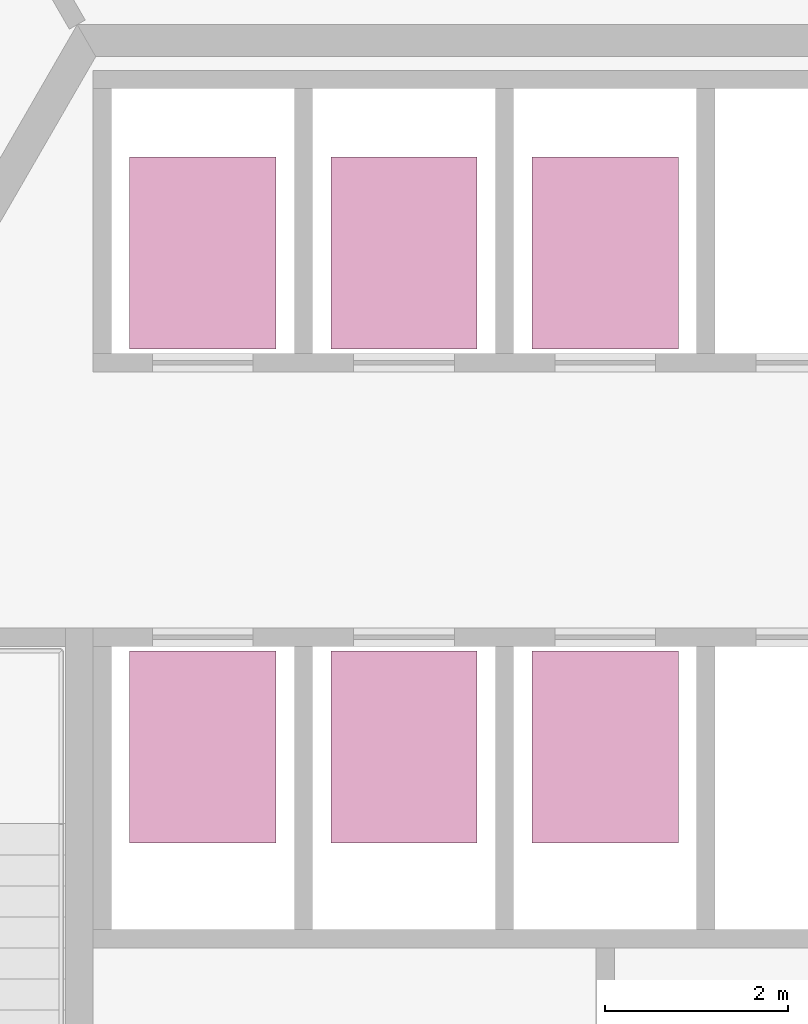
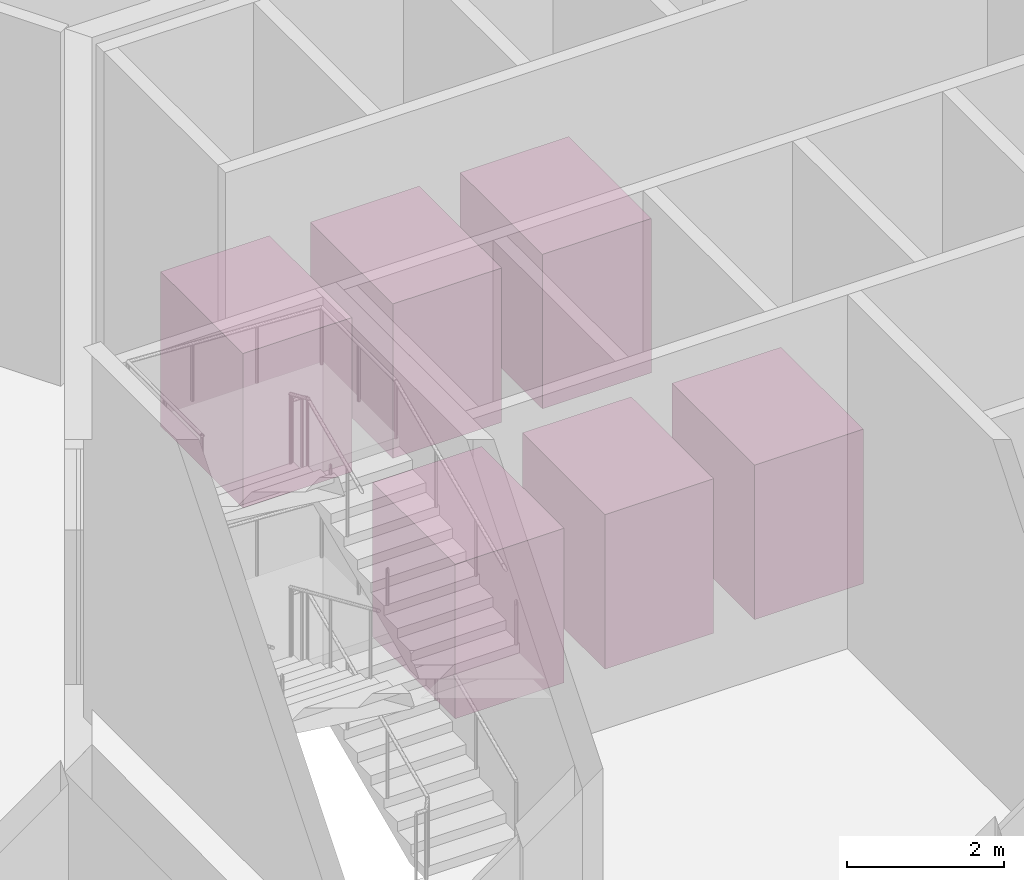
# One storey, part 27 of 27: 6 transport elements.
"""IFC4 building model written with IfcOpenShell, lengths in metres."""

import ifcopenshell
import ifcopenshell.guid

model = None  # the IFC model being written
_history = None  # IfcOwnerHistory: only IFC2X3 demands one
_inside = {}  # id of a spatial element -> (the spatial element, [elements in it])
_under = {}  # id of a project, library or spatial element -> (it, [spatial elements below it])
_declared = {}  # id of a project -> (the project, [libraries it declares])
_typed = {}  # id of a type object -> (the type object, [elements of that type])
_made_of = {}  # id of a material, layer set ... -> (it, [elements and type objects made of it])


def new_model(schema):
    """Start an empty IFC model of exactly this schema.

    Asked for "IFC4X3", IfcOpenShell would pick the latest addendum, in which some entities
    have other attributes; the version numbers below select the first issue.
    IFC2X3 requires an IfcOwnerHistory on every rooted entity: one is made here for all.
    """
    global model, _history
    if schema == "IFC4X3":
        model = ifcopenshell.file(schema_version=(4, 3, 0, 0))
    else:
        model = ifcopenshell.file(schema=schema)
    _inside.clear()
    _under.clear()
    _declared.clear()
    _typed.clear()
    _made_of.clear()
    _history = None
    if model.schema == "IFC2X3":
        org = make("IfcOrganization", Name="unknown")
        user = make(
            "IfcPersonAndOrganization",
            ThePerson=make("IfcPerson", FamilyName="unknown"),
            TheOrganization=org,
        )
        app = make(
            "IfcApplication",
            ApplicationDeveloper=org,
            Version="unknown",
            ApplicationFullName="unknown",
            ApplicationIdentifier="unknown",
        )
        _history = make(
            "IfcOwnerHistory",
            OwningUser=user,
            OwningApplication=app,
            ChangeAction="ADDED",
            CreationDate=0,
        )
    return model


def make(cls, **values):
    """One entity of the class cls with the attributes given. An attribute that is None is left unset."""
    return model.create_entity(
        cls, **{name: value for name, value in values.items() if value is not None}
    )


def rooted(cls, **values):
    """An entity with a GlobalId (a new one), such as an element, a storey or a relation."""
    return make(cls, GlobalId=ifcopenshell.guid.new(), OwnerHistory=_history, **values)


def si_unit(unit_type, name, prefix=None):
    """IfcSIUnit, for example si_unit("LENGTHUNIT", "METRE", prefix="MILLI")."""
    return make("IfcSIUnit", UnitType=unit_type, Prefix=prefix, Name=name)


def assignment(units):
    """IfcUnitAssignment: the units of a project."""
    return None if units is None else make("IfcUnitAssignment", Units=units)


def point(xyz):
    """IfcCartesianPoint."""
    return None if xyz is None else make("IfcCartesianPoint", Coordinates=xyz)


def direction(xyz):
    """IfcDirection."""
    return None if xyz is None else make("IfcDirection", DirectionRatios=xyz)


def frame(location, z_axis=None, x_axis=None):
    """IfcAxis2Placement3D, a coordinate frame: its origin and axes. An axis left out is left unset."""
    return make(
        "IfcAxis2Placement3D",
        Location=point(location),
        Axis=direction(z_axis),
        RefDirection=direction(x_axis),
    )


def frame_2d(location, x_axis=None):
    """IfcAxis2Placement2D, a coordinate frame in the plane: its origin and x axis."""
    return make(
        "IfcAxis2Placement2D", Location=point(location), RefDirection=direction(x_axis)
    )


def origin():
    """The frame at (0, 0, 0) with its axes left unset."""
    return frame((0.0, 0.0, 0.0))


def origin_2d():
    """The frame at (0, 0) in the plane with its x axis left unset."""
    return frame_2d((0.0, 0.0))


def place(relative_to, where):
    """IfcLocalPlacement: puts the frame where relative to a parent placement (None: the world)."""
    return make(
        "IfcLocalPlacement", PlacementRelTo=relative_to, RelativePlacement=where
    )


def context(
    kind, dimensions, precision=None, world=None, true_north=None, identifier=None
):
    """IfcGeometricRepresentationContext, for example the 3D "Model" context."""
    return make(
        "IfcGeometricRepresentationContext",
        ContextIdentifier=identifier,
        ContextType=kind,
        CoordinateSpaceDimension=dimensions,
        Precision=precision,
        WorldCoordinateSystem=world,
        TrueNorth=true_north,
    )


def subcontext(parent, identifier, kind, view, scale=None):
    """IfcGeometricRepresentationSubContext, for example "Body" below "Model"."""
    return make(
        "IfcGeometricRepresentationSubContext",
        ContextIdentifier=identifier,
        ContextType=kind,
        ParentContext=parent,
        TargetScale=scale,
        TargetView=view,
    )


def project(units=None, contexts=None):
    """IfcProject with its units and contexts."""
    return rooted(
        "IfcProject",
        Name="project",
        RepresentationContexts=contexts,
        UnitsInContext=assignment(units),
    )


def spatial(cls, under=None, at=None, **own):
    """A site, building, storey or space (cls), placed at a placement, below another one or the project."""
    s = rooted(cls, ObjectPlacement=at, **own)
    if under is not None:
        _under.setdefault(under.id(), (under, []))[1].append(s)
    return s


def profile(cls, at=None, kind="AREA", **sizes):
    """A parametric profile (cls). Its sizes go by their IFC names, for example OverallWidth=200.0."""
    return make(cls, ProfileType=kind, Position=at, **sizes)


def rectangle(**sizes):
    """IfcRectangleProfileDef."""
    return profile("IfcRectangleProfileDef", **sizes)


def extrude(swept, where, along, depth):
    """IfcExtrudedAreaSolid: the profile swept, set in the frame where, extruded along a direction by depth."""
    return make(
        "IfcExtrudedAreaSolid",
        SweptArea=swept,
        Position=where,
        ExtrudedDirection=direction(along),
        Depth=depth,
    )


def shape(context_of_items, identifier, shape_type, items):
    """IfcShapeRepresentation: the items that make up one representation, for example the "Body"."""
    return make(
        "IfcShapeRepresentation",
        ContextOfItems=context_of_items,
        RepresentationIdentifier=identifier,
        RepresentationType=shape_type,
        Items=items,
    )


def material(Name=None, Category=None):
    """IfcMaterial."""
    return make("IfcMaterial", Name=Name, Category=Category)


def made_of(thing, what):
    """Note that an element or type object is made of a material, layer set ...; save() writes the relation."""
    if what is not None:
        _made_of.setdefault(what.id(), (what, []))[1].append(thing)
    return thing


def type_object(cls, material=None, **own):
    """A type object (cls), such as IfcWallType, which elements share."""
    return made_of(rooted(cls, **own), material)


def element(
    cls,
    number,
    at=None,
    inside=None,
    cuts=None,
    type_object=None,
    material=None,
    context=None,
    identifier="Body",
    shape_type=None,
    held_by="IfcProductDefinitionShape",
    body=None,
    shapes=None,
    **own,
):
    """One element of the class cls, such as IfcWall. Its Tag is "e" and its number.

    at: its placement. inside: the storey or other place that contains it. cuts: it is an
    opening in that element (IfcRelVoidsElement). A single representation is given by context,
    identifier, shape_type and body (its items); several are given by shapes. held_by: the class
    of the entity that holds the representations. save() writes the other relations.
    """
    e = rooted(cls, Tag="e%d" % number, ObjectPlacement=at, **own)
    if body is not None:
        shapes = [shape(context, identifier, shape_type, body)]
    if shapes is not None:
        e.Representation = make(held_by, Representations=shapes)
    if inside is not None:
        _inside.setdefault(inside.id(), (inside, []))[1].append(e)
    if cuts is not None:
        rooted(
            "IfcRelVoidsElement", RelatingBuildingElement=cuts, RelatedOpeningElement=e
        )
    if type_object is not None:
        _typed.setdefault(type_object.id(), (type_object, []))[1].append(e)
    return made_of(e, material)


def aggregate(whole, parts):
    """IfcRelAggregates: a whole, such as a stair, and the parts it consists of."""
    return rooted("IfcRelAggregates", RelatingObject=whole, RelatedObjects=parts)


def save(model, path):
    """Write the relations noted so far, then the file.

    IfcRelAggregates (storeys below a building ...), IfcRelContainedInSpatialStructure (elements
    in a storey), IfcRelDefinesByType, IfcRelAssociatesMaterial and IfcRelDeclares: one each for
    every whole, place, type object, material and project.
    """
    for whole, parts in _under.values():
        aggregate(whole, parts)
    for where, things in _inside.values():
        rooted(
            "IfcRelContainedInSpatialStructure",
            RelatedElements=things,
            RelatingStructure=where,
        )
    for kind, things in _typed.values():
        rooted("IfcRelDefinesByType", RelatedObjects=things, RelatingType=kind)
    for what, things in _made_of.values():
        rooted("IfcRelAssociatesMaterial", RelatedObjects=things, RelatingMaterial=what)
    for by, libraries in _declared.values():
        rooted("IfcRelDeclares", RelatingContext=by, RelatedDefinitions=libraries)
    model.write(path)


model = new_model("IFC4")

# Units and contexts
model_context = context("Model", 3, precision=1e-05, world=origin(), true_north=direction((0.0, 1.0)))
body_context = subcontext(model_context, "Body", "Model", "MODEL_VIEW")
ifc_project = project(units=[si_unit("LENGTHUNIT", "METRE"), si_unit("AREAUNIT", "SQUARE_METRE"), si_unit("VOLUMEUNIT", "CUBIC_METRE"), si_unit("PLANEANGLEUNIT", "RADIAN"), si_unit("MASSUNIT", "GRAM", prefix="KILO")], contexts=[model_context])

# Site, building, storey
site_placement = place(None, origin())
site = spatial("IfcSite", under=ifc_project, at=site_placement, CompositionType="ELEMENT")
building_placement = place(site_placement, origin())
building = spatial("IfcBuilding", under=site, at=building_placement, Name="Tarnside Tower", CompositionType="ELEMENT")
storey_placement = place(building_placement, frame((0.0, 0.0, 146.699951171875)))
storey = spatial("IfcBuildingStorey", under=building, at=storey_placement, Name="L34", CompositionType="ELEMENT", Elevation=146.699951171875)

# Transport elements
ifc_material = material(Name="Stainless steel", Category="steel")
transport_element_type = type_object("IfcTransportElementType", Name="Passenger lift car 1600x2100 1600 kg", PredefinedType="ELEVATOR", material=ifc_material)
for number, where, z_axis, x_axis, name in (
    (1, (-4.39990234375, 7.5, 0.0), (0.0, 0.0, 1.0), (1.0, 0.0, 0.0), "Mid-rise lift 1"),
    (2, (-2.199951171875, 7.5, 0.0), (0.0, 0.0, 1.0), (1.0, 0.0, 0.0), "Mid-rise lift 2"),
    (3, (0.0, 7.5, 0.0), (0.0, 0.0, 1.0), (1.0, 0.0, 0.0), "Mid-rise lift 3"),
    (4, (-4.39990234375, 2.10009765625, 0.0), (0.0, 0.0, 1.0), (1.0, 0.0, 0.0), "Mid-rise lift 4"),
    (5, (-2.199951171875, 2.10009765625, 0.0), (0.0, 0.0, 1.0), (1.0, 0.0, 0.0), "Mid-rise lift 5"),
    (6, (0.0, 2.10009765625, 0.0), (0.0, 0.0, 1.0), (1.0, 0.0, 0.0), "Mid-rise lift 6"),
):
    element("IfcTransportElement", number, at=place(storey_placement, frame(where, z_axis=z_axis, x_axis=x_axis)), inside=storey, type_object=transport_element_type, Name=name, PredefinedType="ELEVATOR", context=body_context, shape_type="SweptSolid", body=[
        extrude(rectangle(XDim=1.60009765625, YDim=2.10009765625, at=origin_2d()), origin(), (0.0, 0.0, 1.0), 2.39990234375),
    ])

save(model, "model.ifc")
